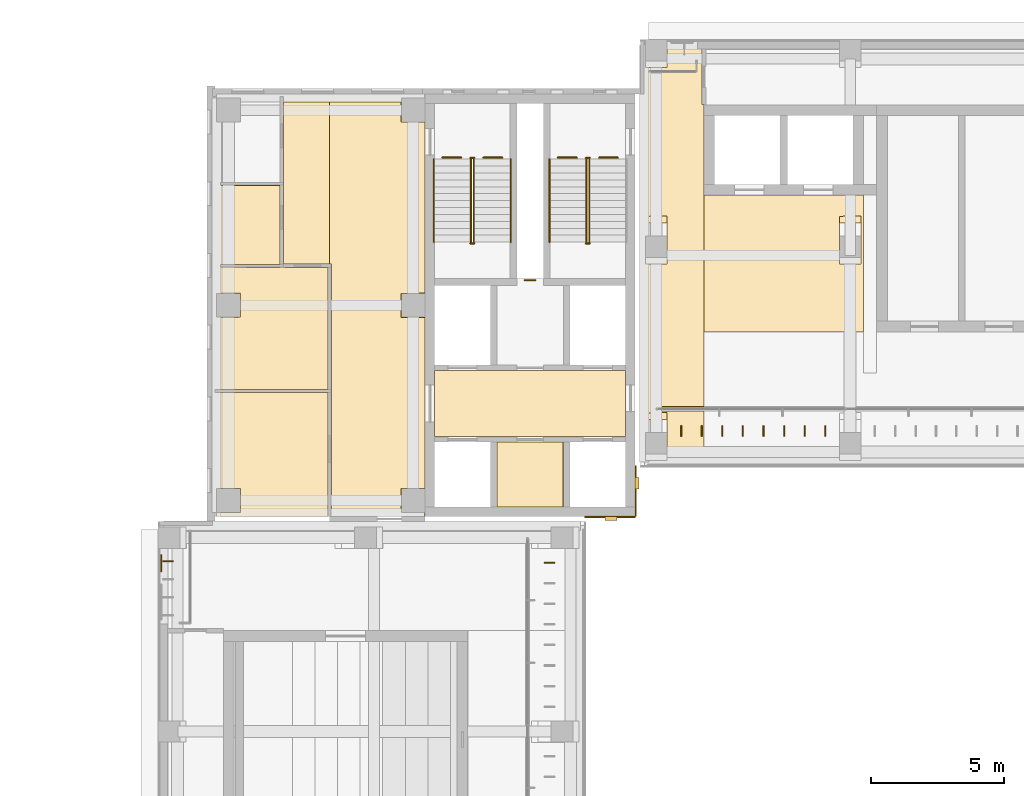
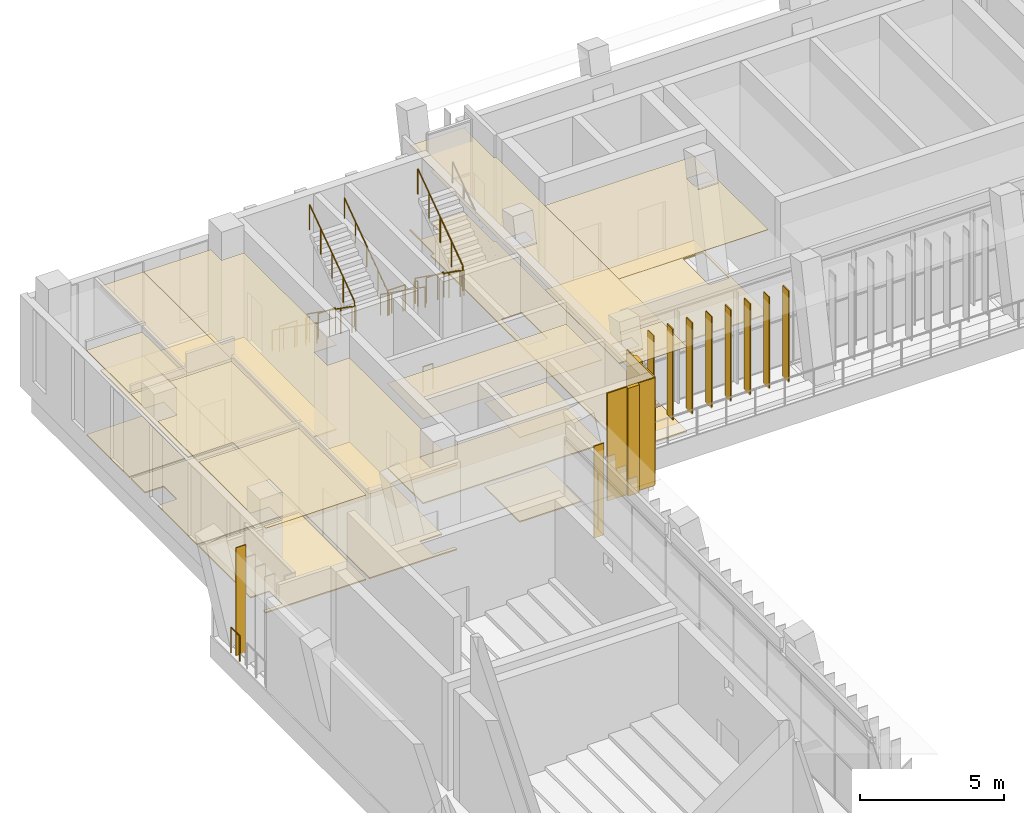
# One storey, part 129 of 141: 22 coverings, 17 railings, 10 shading devices.
"""IFC4 building model written with IfcOpenShell, lengths in metres."""

from ifc_helpers import new_model, si_unit, direction, frame, frame_2d, origin, origin_2d, place, context, subcontext, project, spatial, polyline, rectangle, circle, outline, extrude, material, layer, layer_set, type_object, element, save


model = new_model("IFC4")

# Units and contexts
model_context = context("Model", 3, precision=1e-05, world=origin(), true_north=direction((0.0, 1.0)))
body_context = subcontext(model_context, "Body", "Model", "MODEL_VIEW")
ifc_project = project(units=[si_unit("LENGTHUNIT", "METRE"), si_unit("AREAUNIT", "SQUARE_METRE"), si_unit("VOLUMEUNIT", "CUBIC_METRE"), si_unit("PLANEANGLEUNIT", "RADIAN"), si_unit("MASSUNIT", "GRAM", prefix="KILO")], contexts=[model_context])

# Site, building, storey
site_placement = place(None, origin())
site = spatial("IfcSite", under=ifc_project, at=site_placement, CompositionType="ELEMENT")
building_placement = place(site_placement, origin())
building = spatial("IfcBuilding", under=site, at=building_placement, Name="Lantern Court Media Centre", CompositionType="ELEMENT")
storey_placement = place(building_placement, frame((0.0, 0.0, 9.60009765625)))
storey = spatial("IfcBuildingStorey", under=building, at=storey_placement, Name="L02", CompositionType="ELEMENT", Elevation=9.60009765625)

# Coverings
ifc_material_1 = material(Name="Carpet")
ifc_layer_1 = layer(ifc_material_1, 0.050048828125)
ifc_layer_set_1 = layer_set([ifc_layer_1], Name="Carpet")
covering_type_1 = type_object("IfcCoveringType", Name="Carpet floor finish", PredefinedType="FLOORING", material=ifc_layer_set_1)
covering_1_placement = place(storey_placement, origin())
element("IfcCovering", 1, at=covering_1_placement, inside=storey, type_object=covering_type_1, Name="Production Office 09 floor finish", PredefinedType="FLOORING", context=body_context, shape_type="SweptSolid", body=[
    extrude(outline(polyline([(8.300048828125, 105.485107421875), (12.33251953125, 105.472412109375), (12.33251953125, 100.875), (8.300048828125, 100.875), (8.300048828125, 103.594970703125), (9.054931640625, 103.60009765625), (9.053955078125, 104.503173828125), (8.300048828125, 104.5048828125), (8.300048828125, 105.485107421875)])), origin(), (0.0, 0.0, 1.0), 0.0498046875),
])
covering_2_placement = place(storey_placement, origin())
element("IfcCovering", 2, at=covering_2_placement, inside=storey, type_object=covering_type_1, Name="Production Office 10 floor finish", PredefinedType="FLOORING", context=body_context, shape_type="SweptSolid", body=[
    extrude(outline(polyline([(8.300048828125, 100.764892578125), (12.33251953125, 100.764892578125), (12.33251953125, 96.10009765625), (8.300048828125, 96.10009765625), (8.300048828125, 96.2451171875), (9.054931640625, 96.25), (9.053955078125, 97.153076171875), (8.300048828125, 97.155029296875), (8.300048828125, 100.764892578125)])), origin(), (0.0, 0.0, 1.0), 0.0498046875),
])
covering_3_placement = place(storey_placement, origin())
element("IfcCovering", 3, at=covering_3_placement, inside=storey, type_object=covering_type_1, Name="WC Female floor finish", PredefinedType="FLOORING", context=body_context, shape_type="SweptSolid", body=[
    extrude(outline(polyline([(8.300048828125, 108.56494140625), (10.532470703125, 108.56494140625), (10.532470703125, 105.594970703125), (8.300048828125, 105.594970703125), (8.300048828125, 108.56494140625)])), origin(), (0.0, 0.0, 1.0), 0.0498046875),
])
ifc_material_2 = material(Name="Ceramic tile")
ifc_layer_2 = layer(ifc_material_2, 0.050048828125)
ifc_layer_set_2 = layer_set([ifc_layer_2], Name="Ceramic tile")
covering_type_2 = type_object("IfcCoveringType", Name="Ceramic tile floor finish", PredefinedType="FLOORING", material=ifc_layer_set_2)
covering_4_placement = place(storey_placement, origin())
element("IfcCovering", 4, at=covering_4_placement, inside=storey, type_object=covering_type_2, Name="Accessible WC floor finish", PredefinedType="FLOORING", context=body_context, shape_type="SweptSolid", body=[
    extrude(outline(polyline([(21.195068359375, 96.455078125), (18.705078125, 96.455078125), (18.705078125, 98.89501953125), (21.195068359375, 98.89501953125), (21.195068359375, 96.455078125)])), origin(), (0.0, 0.0, 1.0), 0.0498046875),
])

# Railings
ifc_material_3 = material(Name="Powder-coated steel", Category="steel")
railing_type_1 = type_object("IfcRailingType", Name="Floor edge guard 1100", PredefinedType="GUARDRAIL", material=ifc_material_3)
railing_1_placement = place(storey_placement, frame((16.64990234375, 109.609619140625, 0.0)))
element("IfcRailing", 5, at=railing_1_placement, inside=storey, type_object=railing_type_1, Name="L02 opening guard 72", PredefinedType="GUARDRAIL", context=body_context, shape_type="SweptSolid", body=[
    extrude(circle(Radius=0.02392578125, at=origin_2d()), frame((0.0, 0.0, 1.076171875), z_axis=(1.0, 0.0, 0.0), x_axis=(0.0, 1.0, 0.0)), (0.0, 0.0, 1.0), 0.703857421875),
    extrude(circle(Radius=0.02099609375, at=origin_2d()), origin(), (0.0, 0.0, 1.0), 1.052001953125),
    extrude(circle(Radius=0.02099609375, at=origin_2d()), frame((0.703857421875, 0.0, 0.0)), (0.0, 0.0, 1.0), 1.052001953125),
])
for number, where, name in (
    (6, (18.1962890625, 109.609619140625, 0.0), "L02 opening guard 73"),
    (7, (21.0, 109.609619140625, 0.0), "L02 opening guard 74"),
    (8, (22.54638671875, 109.609619140625, 0.0), "L02 opening guard 75"),
):
    element("IfcRailing", number, at=place(storey_placement, frame(where)), inside=storey, type_object=railing_type_1, Name=name, PredefinedType="GUARDRAIL", context=body_context, shape_type="SweptSolid", body=[
        extrude(circle(Radius=0.02392578125, at=origin_2d()), frame((0.0, 0.0, 1.076171875), z_axis=(1.0, 0.0, 0.0), x_axis=(0.0, 1.0, 0.0)), (0.0, 0.0, 1.0), 0.70361328125),
        extrude(circle(Radius=0.02099609375, at=origin_2d()), origin(), (0.0, 0.0, 1.0), 1.052001953125),
        extrude(circle(Radius=0.02099609375, at=origin_2d()), frame((0.70361328125, 0.0, 0.0)), (0.0, 0.0, 1.0), 1.052001953125),
    ])
railing_2_placement = place(storey_placement, frame((20.14990234375, 104.989990234375, 0.0)))
element("IfcRailing", 9, at=railing_2_placement, inside=storey, type_object=railing_type_1, Name="L02 opening guard 76", PredefinedType="GUARDRAIL", context=body_context, shape_type="SweptSolid", body=[
    extrude(circle(Radius=0.02392578125, at=origin_2d()), frame((0.0, 0.0, 1.076171875), z_axis=(-1.0, 0.0, 0.0), x_axis=(0.0, -1.0, 0.0)), (0.0, 0.0, 1.0), 0.39990234375),
    extrude(circle(Radius=0.02099609375, at=origin_2d()), origin(), (0.0, 0.0, 1.0), 1.052001953125),
    extrude(circle(Radius=0.02099609375, at=origin_2d()), frame((-0.39990234375, 0.0, 0.0)), (0.0, 0.0, 1.0), 1.052001953125),
])
railing_3_placement = place(storey_placement, frame((6.06005859375, 94.034912109375, 0.0)))
element("IfcRailing", 10, at=railing_3_placement, inside=storey, type_object=railing_type_1, Name="L02 edge guard 40", PredefinedType="GUARDRAIL", context=body_context, shape_type="SweptSolid", body=[
    extrude(circle(Radius=0.02392578125, at=origin_2d()), frame((0.0, 0.0, 1.076171875), z_axis=(0.0, 1.0, 0.0), x_axis=(-1.0, 0.0, 0.0)), (0.0, 0.0, 1.0), 0.59912109375),
    extrude(circle(Radius=0.02099609375, at=origin_2d()), origin(), (0.0, 0.0, 1.0), 1.052001953125),
    extrude(circle(Radius=0.02099609375, at=origin_2d()), frame((0.0, 0.59912109375, 0.0)), (0.0, 0.0, 1.0), 1.052001953125),
])

# Coverings
ifc_material_4 = material(Name="Honed limestone cladding", Category="masonry")
ifc_layer_3 = layer(ifc_material_4, 0.050048828125)
ifc_layer_set_3 = layer_set([ifc_layer_3], Name="Honed limestone cladding")
covering_type_3 = type_object("IfcCoveringType", Name="Limestone cladding panel 50", PredefinedType="CLADDING", material=ifc_layer_set_3)
for number, where, z_axis, x_axis, name in (
    (11, (23.925048828125, 96.10009765625, 0.0), (0.0, 0.0, 1.0), (0.0, 1.0, 0.0), "Limestone joint cladding N-NW L02"),
    (12, (22.0, 96.074951171875, 0.0), (0.0, 0.0, 1.0), (1.0, 0.0, 0.0), "Limestone joint cladding W-NW L02"),
):
    element("IfcCovering", number, at=place(storey_placement, frame(where, z_axis=z_axis, x_axis=x_axis)), inside=storey, type_object=covering_type_3, Name=name, PredefinedType="CLADDING", context=body_context, shape_type="SweptSolid", body=[
        extrude(rectangle(XDim=1.89990234375, YDim=0.050048828125, at=frame_2d((0.949951171875, 0.0))), origin(), (0.0, 0.0, 1.0), 4.579833984375),
    ])
ifc_layer_4 = layer(ifc_material_4, 0.14990234375)
ifc_layer_set_4 = layer_set([ifc_layer_4], Name="Honed limestone cladding")
covering_type_4 = type_object("IfcCoveringType", Name="Limestone pilaster cladding 150", PredefinedType="CLADDING", material=ifc_layer_set_4)
covering_5_placement = place(storey_placement, frame((22.77490234375, 96.02490234375, 0.0), z_axis=(0.0, 0.0, 1.0), x_axis=(1.0, 0.0, 0.0)))
element("IfcCovering", 13, at=covering_5_placement, inside=storey, type_object=covering_type_4, Name="Limestone pilaster rib", PredefinedType="CLADDING", context=body_context, shape_type="SweptSolid", body=[
    extrude(rectangle(XDim=0.4501953125, YDim=0.14990234375, at=frame_2d((0.22509765625, 0.0))), origin(), (0.0, 0.0, 1.0), 4.579833984375),
])
covering_6_placement = place(storey_placement, frame((23.97509765625, 97.125, 0.0), z_axis=(0.0, 0.0, 1.0), x_axis=(0.0, 1.0, 0.0)))
element("IfcCovering", 14, at=covering_6_placement, inside=storey, type_object=covering_type_4, Name="Limestone pilaster rib", PredefinedType="CLADDING", context=body_context, shape_type="SweptSolid", body=[
    extrude(rectangle(XDim=0.449951171875, YDim=0.14990234375, at=frame_2d((0.22509765625, 0.0))), origin(), (0.0, 0.0, 1.0), 4.579833984375),
])

# Railings
railing_type_2 = type_object("IfcRailingType", Name="Stair guard 1100", PredefinedType="GUARDRAIL", material=ifc_material_3)
railing_4_placement = place(storey_placement, frame((17.72412109375, 109.550048828125, 0.1845703125)))
element("IfcRailing", 15, at=railing_4_placement, inside=storey, type_object=railing_type_2, Name="L02 ST-NWA stair guard 1", PredefinedType="GUARDRAIL", context=body_context, shape_type="SweptSolid", body=[
    extrude(circle(Radius=0.02392578125, at=origin_2d()), frame((0.0, 0.0, 1.076171875), z_axis=(0.0, -0.815376961211, 0.578930402662), x_axis=(1.0, 0.0, 0.0)), (0.0, 0.0, 1.0), 3.82666015625),
    extrude(circle(Radius=0.02099609375, at=origin_2d()), origin(), (0.0, 0.0, 1.0), 1.052001953125),
    extrude(circle(Radius=0.02099609375, at=origin_2d()), frame((0.0, -0.780029296875, 0.5537109375)), (0.0, 0.0, 1.0), 1.052001953125),
    extrude(circle(Radius=0.02099609375, at=origin_2d()), frame((0.0, -1.56005859375, 1.107666015625)), (0.0, 0.0, 1.0), 1.052001953125),
    extrude(circle(Radius=0.02099609375, at=origin_2d()), frame((0.0, -2.340087890625, 1.66162109375)), (0.0, 0.0, 1.0), 1.052001953125),
    extrude(circle(Radius=0.02099609375, at=origin_2d()), frame((0.0, -3.1201171875, 2.21533203125)), (0.0, 0.0, 1.0), 1.052001953125),
])
railing_5_placement = place(storey_placement, frame((17.699951171875, 106.3798828125, 2.39990234375)))
element("IfcRailing", 16, at=railing_5_placement, inside=storey, type_object=railing_type_2, Name="L02 ST-NWA stair guard 2", PredefinedType="GUARDRAIL", context=body_context, shape_type="SweptSolid", body=[
    extrude(circle(Radius=0.02392578125, at=origin_2d()), frame((0.0, 0.0, 1.076171875), z_axis=(1.0, 0.0, 0.0), x_axis=(0.0, 1.0, 0.0)), (0.0, 0.0, 1.0), 0.150146484375),
    extrude(circle(Radius=0.02099609375, at=origin_2d()), origin(), (0.0, 0.0, 1.0), 1.052001953125),
    extrude(circle(Radius=0.02099609375, at=origin_2d()), frame((0.150146484375, 0.0, 0.0)), (0.0, 0.0, 1.0), 1.052001953125),
])
railing_6_placement = place(storey_placement, frame((17.825927734375, 106.429931640625, 2.58447265625)))
element("IfcRailing", 17, at=railing_6_placement, inside=storey, type_object=railing_type_2, Name="L02 ST-NWA stair guard 3", PredefinedType="GUARDRAIL", context=body_context, shape_type="SweptSolid", body=[
    extrude(circle(Radius=0.02392578125, at=origin_2d()), frame((0.0, 0.0, 1.076171875), z_axis=(0.0, 0.815376961211, 0.578930402662), x_axis=(-1.0, 0.0, 0.0)), (0.0, 0.0, 1.0), 3.82666015625),
    extrude(circle(Radius=0.02099609375, at=origin_2d()), origin(), (0.0, 0.0, 1.0), 1.052001953125),
    extrude(circle(Radius=0.02099609375, at=origin_2d()), frame((0.0, 0.780029296875, 0.5537109375)), (0.0, 0.0, 1.0), 1.052001953125),
    extrude(circle(Radius=0.02099609375, at=origin_2d()), frame((0.0, 1.56005859375, 1.107666015625)), (0.0, 0.0, 1.0), 1.052001953125),
    extrude(circle(Radius=0.02099609375, at=origin_2d()), frame((0.0, 2.340087890625, 1.66162109375)), (0.0, 0.0, 1.0), 1.052001953125),
    extrude(circle(Radius=0.02099609375, at=origin_2d()), frame((0.0, 3.1201171875, 2.21533203125)), (0.0, 0.0, 1.0), 1.052001953125),
])
railing_7_placement = place(storey_placement, frame((17.699951171875, 109.60009765625, 0.0)))
element("IfcRailing", 18, at=railing_7_placement, inside=storey, type_object=railing_type_2, Name="L02 ST-NWA stair guard 4", PredefinedType="GUARDRAIL", context=body_context, shape_type="SweptSolid", body=[
    extrude(circle(Radius=0.02392578125, at=origin_2d()), frame((0.0, 0.0, 1.076171875), z_axis=(1.0, 0.0, 0.0), x_axis=(0.0, 1.0, 0.0)), (0.0, 0.0, 1.0), 0.150146484375),
    extrude(circle(Radius=0.02099609375, at=origin_2d()), origin(), (0.0, 0.0, 1.0), 1.052001953125),
    extrude(circle(Radius=0.02099609375, at=origin_2d()), frame((0.150146484375, 0.0, 0.0)), (0.0, 0.0, 1.0), 1.052001953125),
])
railing_8_placement = place(storey_placement, frame((22.073974609375, 109.550048828125, 0.1845703125)))
element("IfcRailing", 19, at=railing_8_placement, inside=storey, type_object=railing_type_2, Name="L02 ST-NWB stair guard 1", PredefinedType="GUARDRAIL", context=body_context, shape_type="SweptSolid", body=[
    extrude(circle(Radius=0.02392578125, at=origin_2d()), frame((0.0, 0.0, 1.076171875), z_axis=(0.0, -0.815376961211, 0.578930402662), x_axis=(1.0, 0.0, 0.0)), (0.0, 0.0, 1.0), 3.82666015625),
    extrude(circle(Radius=0.02099609375, at=origin_2d()), origin(), (0.0, 0.0, 1.0), 1.052001953125),
    extrude(circle(Radius=0.02099609375, at=origin_2d()), frame((0.0, -0.780029296875, 0.5537109375)), (0.0, 0.0, 1.0), 1.052001953125),
    extrude(circle(Radius=0.02099609375, at=origin_2d()), frame((0.0, -1.56005859375, 1.107666015625)), (0.0, 0.0, 1.0), 1.052001953125),
    extrude(circle(Radius=0.02099609375, at=origin_2d()), frame((0.0, -2.340087890625, 1.66162109375)), (0.0, 0.0, 1.0), 1.052001953125),
    extrude(circle(Radius=0.02099609375, at=origin_2d()), frame((0.0, -3.1201171875, 2.21533203125)), (0.0, 0.0, 1.0), 1.052001953125),
])
railing_9_placement = place(storey_placement, frame((22.050048828125, 106.3798828125, 2.39990234375)))
element("IfcRailing", 20, at=railing_9_placement, inside=storey, type_object=railing_type_2, Name="L02 ST-NWB stair guard 2", PredefinedType="GUARDRAIL", context=body_context, shape_type="SweptSolid", body=[
    extrude(circle(Radius=0.02392578125, at=origin_2d()), frame((0.0, 0.0, 1.076171875), z_axis=(1.0, 0.0, 0.0), x_axis=(0.0, 1.0, 0.0)), (0.0, 0.0, 1.0), 0.14990234375),
    extrude(circle(Radius=0.02099609375, at=origin_2d()), origin(), (0.0, 0.0, 1.0), 1.052001953125),
    extrude(circle(Radius=0.02099609375, at=origin_2d()), frame((0.14990234375, 0.0, 0.0)), (0.0, 0.0, 1.0), 1.052001953125),
])
railing_10_placement = place(storey_placement, frame((22.176025390625, 106.429931640625, 2.58447265625)))
element("IfcRailing", 21, at=railing_10_placement, inside=storey, type_object=railing_type_2, Name="L02 ST-NWB stair guard 3", PredefinedType="GUARDRAIL", context=body_context, shape_type="SweptSolid", body=[
    extrude(circle(Radius=0.02392578125, at=origin_2d()), frame((0.0, 0.0, 1.076171875), z_axis=(0.0, 0.815376961211, 0.578930402662), x_axis=(-1.0, 0.0, 0.0)), (0.0, 0.0, 1.0), 3.82666015625),
    extrude(circle(Radius=0.02099609375, at=origin_2d()), origin(), (0.0, 0.0, 1.0), 1.052001953125),
    extrude(circle(Radius=0.02099609375, at=origin_2d()), frame((0.0, 0.780029296875, 0.5537109375)), (0.0, 0.0, 1.0), 1.052001953125),
    extrude(circle(Radius=0.02099609375, at=origin_2d()), frame((0.0, 1.56005859375, 1.107666015625)), (0.0, 0.0, 1.0), 1.052001953125),
    extrude(circle(Radius=0.02099609375, at=origin_2d()), frame((0.0, 2.340087890625, 1.66162109375)), (0.0, 0.0, 1.0), 1.052001953125),
    extrude(circle(Radius=0.02099609375, at=origin_2d()), frame((0.0, 3.1201171875, 2.21533203125)), (0.0, 0.0, 1.0), 1.052001953125),
])
railing_11_placement = place(storey_placement, frame((22.050048828125, 109.60009765625, 0.0)))
element("IfcRailing", 22, at=railing_11_placement, inside=storey, type_object=railing_type_2, Name="L02 ST-NWB stair guard 4", PredefinedType="GUARDRAIL", context=body_context, shape_type="SweptSolid", body=[
    extrude(circle(Radius=0.02392578125, at=origin_2d()), frame((0.0, 0.0, 1.076171875), z_axis=(1.0, 0.0, 0.0), x_axis=(0.0, 1.0, 0.0)), (0.0, 0.0, 1.0), 0.14990234375),
    extrude(circle(Radius=0.02099609375, at=origin_2d()), origin(), (0.0, 0.0, 1.0), 1.052001953125),
    extrude(circle(Radius=0.02099609375, at=origin_2d()), frame((0.14990234375, 0.0, 0.0)), (0.0, 0.0, 1.0), 1.052001953125),
])
railing_type_3 = type_object("IfcRailingType", Name="Stair handrail 900", PredefinedType="HANDRAIL", material=ifc_material_3)
railing_12_placement = place(storey_placement, frame((16.325927734375, 109.550048828125, 0.1845703125)))
element("IfcRailing", 23, at=railing_12_placement, inside=storey, type_object=railing_type_3, Name="L02 ST-NWA stair handrail 1", PredefinedType="HANDRAIL", context=body_context, shape_type="SweptSolid", body=[
    extrude(circle(Radius=0.02392578125, at=origin_2d()), frame((0.0, 0.0, 0.8759765625), z_axis=(0.0, -0.815376961211, 0.578930402662), x_axis=(1.0, 0.0, 0.0)), (0.0, 0.0, 1.0), 3.82666015625),
    extrude(circle(Radius=0.02099609375, at=origin_2d()), origin(), (0.0, 0.0, 1.0), 0.851806640625),
    extrude(circle(Radius=0.02099609375, at=origin_2d()), frame((0.0, -0.780029296875, 0.5537109375)), (0.0, 0.0, 1.0), 0.851806640625),
    extrude(circle(Radius=0.02099609375, at=origin_2d()), frame((0.0, -1.56005859375, 1.107666015625)), (0.0, 0.0, 1.0), 0.851806640625),
    extrude(circle(Radius=0.02099609375, at=origin_2d()), frame((0.0, -2.340087890625, 1.66162109375)), (0.0, 0.0, 1.0), 0.851806640625),
    extrude(circle(Radius=0.02099609375, at=origin_2d()), frame((0.0, -3.1201171875, 2.21533203125)), (0.0, 0.0, 1.0), 0.851806640625),
])
railing_13_placement = place(storey_placement, frame((19.22412109375, 106.429931640625, 2.58447265625)))
element("IfcRailing", 24, at=railing_13_placement, inside=storey, type_object=railing_type_3, Name="L02 ST-NWA stair handrail 2", PredefinedType="HANDRAIL", context=body_context, shape_type="SweptSolid", body=[
    extrude(circle(Radius=0.02392578125, at=origin_2d()), frame((0.0, 0.0, 0.8759765625), z_axis=(0.0, 0.815376961211, 0.578930402662), x_axis=(-1.0, 0.0, 0.0)), (0.0, 0.0, 1.0), 3.82666015625),
    extrude(circle(Radius=0.02099609375, at=origin_2d()), origin(), (0.0, 0.0, 1.0), 0.851806640625),
    extrude(circle(Radius=0.02099609375, at=origin_2d()), frame((0.0, 0.780029296875, 0.5537109375)), (0.0, 0.0, 1.0), 0.851806640625),
    extrude(circle(Radius=0.02099609375, at=origin_2d()), frame((0.0, 1.56005859375, 1.107666015625)), (0.0, 0.0, 1.0), 0.851806640625),
    extrude(circle(Radius=0.02099609375, at=origin_2d()), frame((0.0, 2.340087890625, 1.66162109375)), (0.0, 0.0, 1.0), 0.851806640625),
    extrude(circle(Radius=0.02099609375, at=origin_2d()), frame((0.0, 3.1201171875, 2.21533203125)), (0.0, 0.0, 1.0), 0.851806640625),
])
railing_14_placement = place(storey_placement, frame((20.676025390625, 109.550048828125, 0.1845703125)))
element("IfcRailing", 25, at=railing_14_placement, inside=storey, type_object=railing_type_3, Name="L02 ST-NWB stair handrail 1", PredefinedType="HANDRAIL", context=body_context, shape_type="SweptSolid", body=[
    extrude(circle(Radius=0.02392578125, at=origin_2d()), frame((0.0, 0.0, 0.8759765625), z_axis=(0.0, -0.815376961211, 0.578930402662), x_axis=(1.0, 0.0, 0.0)), (0.0, 0.0, 1.0), 3.82666015625),
    extrude(circle(Radius=0.02099609375, at=origin_2d()), origin(), (0.0, 0.0, 1.0), 0.851806640625),
    extrude(circle(Radius=0.02099609375, at=origin_2d()), frame((0.0, -0.780029296875, 0.5537109375)), (0.0, 0.0, 1.0), 0.851806640625),
    extrude(circle(Radius=0.02099609375, at=origin_2d()), frame((0.0, -1.56005859375, 1.107666015625)), (0.0, 0.0, 1.0), 0.851806640625),
    extrude(circle(Radius=0.02099609375, at=origin_2d()), frame((0.0, -2.340087890625, 1.66162109375)), (0.0, 0.0, 1.0), 0.851806640625),
    extrude(circle(Radius=0.02099609375, at=origin_2d()), frame((0.0, -3.1201171875, 2.21533203125)), (0.0, 0.0, 1.0), 0.851806640625),
])

# Coverings
ifc_material_5 = material(Name="Mineral fibre ceiling tile")
ifc_layer_5 = layer(ifc_material_5, 0.02001953125)
ifc_layer_set_5 = layer_set([ifc_layer_5], Name="Mineral fibre ceiling tile")
covering_type_5 = type_object("IfcCoveringType", Name="Suspended ceiling tile", PredefinedType="CEILING", material=ifc_layer_set_5)
covering_7_placement = place(storey_placement, frame((0.0, 0.0, 3.599853515625)))
element("IfcCovering", 26, at=covering_7_placement, inside=storey, type_object=covering_type_5, Name="End Lobby ceiling", PredefinedType="CEILING", context=body_context, shape_type="SweptSolid", body=[
    extrude(outline(polyline([(26.5, 98.300048828125), (24.10009765625, 98.300048828125), (24.10009765625, 111.99951171875), (24.240478515625, 112.0), (24.240478515625, 113.699951171875), (26.5, 113.699462890625), (26.41943359375, 113.695068359375), (26.41943359375, 111.60498046875), (26.5, 111.6044921875), (26.5, 100.2255859375), (24.8994140625, 100.22509765625), (24.89990234375, 100.074462890625), (26.5, 100.074462890625), (26.5, 98.300048828125)]), holes=[polyline([(25.10009765625, 106.3515625), (25.10009765625, 106.400390625), (24.299560546875, 106.400146484375), (24.300048828125, 106.3515625), (25.10009765625, 106.3515625)]), polyline([(25.10009765625, 98.95166015625), (25.10009765625, 99.00048828125), (24.299560546875, 99.0), (24.300048828125, 98.95166015625), (25.10009765625, 98.95166015625)]), polyline([(25.10009765625, 99.199462890625), (25.100341796875, 99.75244140625), (24.299560546875, 99.75244140625), (24.2998046875, 99.199462890625), (25.10009765625, 99.199462890625)]), polyline([(25.10009765625, 106.599609375), (25.100341796875, 107.152587890625), (24.299560546875, 107.15234375), (24.2998046875, 106.599609375), (25.10009765625, 106.599609375)])]), origin(), (0.0, 0.0, 1.0), 0.02001953125),
])
covering_8_placement = place(storey_placement, frame((0.0, 0.0, 3.599853515625)))
element("IfcCovering", 27, at=covering_8_placement, inside=storey, type_object=covering_type_5, Name="Lift Lobby ceiling", PredefinedType="CEILING", context=body_context, shape_type="SweptSolid", body=[
    extrude(outline(polyline([(32.5, 103.050048828125), (26.5, 103.050048828125), (26.5, 108.199462890625), (32.5, 108.199462890625), (32.5, 103.050048828125)]), holes=[polyline([(32.39990234375, 106.599609375), (32.400390625, 107.152587890625), (31.599609375, 107.15234375), (31.599609375, 106.599609375), (32.39990234375, 106.599609375)]), polyline([(32.39990234375, 106.3515625), (32.400146484375, 106.400390625), (31.599609375, 106.400146484375), (31.599853515625, 106.3515625), (32.39990234375, 106.3515625)])]), origin(), (0.0, 0.0, 1.0), 0.02001953125),
])
covering_9_placement = place(storey_placement, frame((0.0, 0.0, 3.599853515625)))
element("IfcCovering", 28, at=covering_9_placement, inside=storey, type_object=covering_type_5, Name="Lift Lobby ceiling", PredefinedType="CEILING", context=body_context, shape_type="SweptSolid", body=[
    extrude(outline(polyline([(16.3505859375, 101.599609375), (23.549560546875, 101.599609375), (23.549560546875, 99.1005859375), (16.3505859375, 99.1005859375), (16.3505859375, 101.599609375)])), origin(), (0.0, 0.0, 1.0), 0.02001953125),
])
covering_10_placement = place(storey_placement, frame((0.0, 0.0, 3.599853515625)))
element("IfcCovering", 29, at=covering_10_placement, inside=storey, type_object=covering_type_5, Name="Accessible WC ceiling", PredefinedType="CEILING", context=body_context, shape_type="SweptSolid", body=[
    extrude(outline(polyline([(18.700439453125, 98.8994140625), (21.199462890625, 98.8994140625), (21.199462890625, 96.450439453125), (18.700439453125, 96.450439453125), (18.700439453125, 98.8994140625)])), origin(), (0.0, 0.0, 1.0), 0.02001953125),
])
covering_11_placement = place(storey_placement, frame((0.0, 0.0, 3.599853515625)))
element("IfcCovering", 30, at=covering_11_placement, inside=storey, type_object=covering_type_5, Name="Corridor ceiling", PredefinedType="CEILING", context=body_context, shape_type="SweptSolid", body=[
    extrude(outline(polyline([(12.39990234375, 111.699951171875), (15.099609375, 111.699951171875), (15.099609375, 110.94970703125), (15.99951171875, 110.949462890625), (15.99951171875, 104.50048828125), (15.099609375, 104.5), (15.099609375, 103.599609375), (15.99951171875, 103.599609375), (15.99951171875, 97.150390625), (15.099609375, 97.150390625), (15.099609375, 96.25), (15.99951171875, 96.24951171875), (15.99951171875, 96.1005859375), (12.462890625, 96.1005859375), (12.462890625, 105.6025390625), (12.39990234375, 105.60302734375), (12.39990234375, 111.699951171875)])), origin(), (0.0, 0.0, 1.0), 0.02001953125),
])
covering_12_placement = place(storey_placement, frame((0.0, 0.0, 3.599853515625)))
element("IfcCovering", 31, at=covering_12_placement, inside=storey, type_object=covering_type_5, Name="Production Office 09 ceiling", PredefinedType="CEILING", context=body_context, shape_type="SweptSolid", body=[
    extrude(outline(polyline([(8.300048828125, 105.489501953125), (12.3369140625, 105.47705078125), (12.3369140625, 100.87060546875), (8.300048828125, 100.87060546875), (8.300048828125, 103.599609375), (9.050537109375, 103.60009765625), (9.05029296875, 104.500244140625), (8.300048828125, 104.50048828125), (8.300048828125, 105.489501953125)])), origin(), (0.0, 0.0, 1.0), 0.02001953125),
])
covering_13_placement = place(storey_placement, frame((0.0, 0.0, 3.599853515625)))
element("IfcCovering", 32, at=covering_13_placement, inside=storey, type_object=covering_type_5, Name="Production Office 10 ceiling", PredefinedType="CEILING", context=body_context, shape_type="SweptSolid", body=[
    extrude(outline(polyline([(8.300048828125, 100.76953125), (12.3369140625, 100.76953125), (12.3369140625, 96.10009765625), (8.300048828125, 96.10009765625), (8.300048828125, 96.24951171875), (9.050537109375, 96.25), (9.05029296875, 97.150390625), (8.300048828125, 97.150390625), (8.300048828125, 100.76953125)])), origin(), (0.0, 0.0, 1.0), 0.02001953125),
])
covering_14_placement = place(storey_placement, frame((0.0, 0.0, 3.599853515625)))
element("IfcCovering", 33, at=covering_14_placement, inside=storey, type_object=covering_type_5, Name="WC Lobby ceiling", PredefinedType="CEILING", context=body_context, shape_type="SweptSolid", body=[
    extrude(outline(polyline([(12.39990234375, 111.699951171875), (12.39990234375, 105.60302734375), (10.6630859375, 105.60302734375), (10.6630859375, 111.699951171875), (12.39990234375, 111.699951171875)])), origin(), (0.0, 0.0, 1.0), 0.02001953125),
])
covering_15_placement = place(storey_placement, frame((0.0, 0.0, 3.599853515625)))
element("IfcCovering", 34, at=covering_15_placement, inside=storey, type_object=covering_type_5, Name="WC Female ceiling", PredefinedType="CEILING", context=body_context, shape_type="SweptSolid", body=[
    extrude(outline(polyline([(8.300048828125, 108.569580078125), (10.537109375, 108.569580078125), (10.537109375, 105.590576171875), (8.300048828125, 105.590576171875), (8.300048828125, 108.569580078125)])), origin(), (0.0, 0.0, 1.0), 0.02001953125),
])
ifc_material_6 = material(Name="Terrazzo")
ifc_layer_6 = layer(ifc_material_6, 0.050048828125)
ifc_layer_set_6 = layer_set([ifc_layer_6], Name="Terrazzo")
covering_type_6 = type_object("IfcCoveringType", Name="Terrazzo floor finish", PredefinedType="FLOORING", material=ifc_layer_set_6)
covering_16_placement = place(storey_placement, origin())
element("IfcCovering", 35, at=covering_16_placement, inside=storey, type_object=covering_type_6, Name="End Lobby floor finish", PredefinedType="FLOORING", context=body_context, shape_type="SweptSolid", body=[
    extrude(outline(polyline([(26.5, 98.300048828125), (25.10498046875, 98.300048828125), (25.10009765625, 100.0048828125), (24.295654296875, 100.00244140625), (24.294921875, 98.300048828125), (24.10009765625, 98.300048828125), (24.10009765625, 111.9951171875), (24.244873046875, 111.99951171875), (24.2451171875, 113.699951171875), (24.294921875, 113.699951171875), (24.300048828125, 112.9951171875), (25.103271484375, 112.99609375), (25.10498046875, 113.699951171875), (26.4150390625, 113.695068359375), (26.4150390625, 111.60498046875), (26.4951171875, 111.60009765625), (26.5, 100.22998046875), (24.8994140625, 100.22998046875), (24.89501953125, 100.074951171875), (26.5, 100.070068359375), (26.5, 98.300048828125)]), holes=[polyline([(24.294921875, 105.60009765625), (25.104736328125, 105.59814453125), (25.101806640625, 107.404541015625), (24.29541015625, 107.40185546875), (24.294921875, 105.60009765625)])]), origin(), (0.0, 0.0, 1.0), 0.0498046875),
])
covering_17_placement = place(storey_placement, origin())
element("IfcCovering", 36, at=covering_17_placement, inside=storey, type_object=covering_type_6, Name="Lift Lobby floor finish", PredefinedType="FLOORING", context=body_context, shape_type="SweptSolid", body=[
    extrude(outline(polyline([(32.5, 103.050048828125), (26.5, 103.050048828125), (26.5, 108.195068359375), (32.5, 108.195068359375), (32.5, 103.050048828125)]), holes=[polyline([(31.594970703125, 105.60009765625), (32.404541015625, 105.59814453125), (32.40185546875, 107.404541015625), (31.595458984375, 107.40185546875), (31.594970703125, 105.60009765625)])]), origin(), (0.0, 0.0, 1.0), 0.0498046875),
])
covering_18_placement = place(storey_placement, origin())
element("IfcCovering", 37, at=covering_18_placement, inside=storey, type_object=covering_type_6, Name="Lift Lobby floor finish", PredefinedType="FLOORING", context=body_context, shape_type="SweptSolid", body=[
    extrude(outline(polyline([(16.35498046875, 99.10498046875), (16.35498046875, 101.594970703125), (23.544921875, 101.594970703125), (23.544921875, 99.10498046875), (16.35498046875, 99.10498046875)])), origin(), (0.0, 0.0, 1.0), 0.0498046875),
])
covering_19_placement = place(storey_placement, origin())
element("IfcCovering", 38, at=covering_19_placement, inside=storey, type_object=covering_type_6, Name="Corridor floor finish", PredefinedType="FLOORING", context=body_context, shape_type="SweptSolid", body=[
    extrude(outline(polyline([(12.39990234375, 111.699951171875), (15.094970703125, 111.699951171875), (15.096923828125, 110.946044921875), (15.9951171875, 110.945068359375), (15.9951171875, 104.5048828125), (15.094970703125, 104.5), (15.096435546875, 103.596435546875), (15.9951171875, 103.594970703125), (15.9951171875, 97.155029296875), (15.096435546875, 97.153564453125), (15.094970703125, 96.24951171875), (15.9951171875, 96.2451171875), (15.9951171875, 96.10498046875), (12.467529296875, 96.10498046875), (12.467529296875, 105.6025390625), (12.39990234375, 105.607421875), (12.39990234375, 111.699951171875)])), origin(), (0.0, 0.0, 1.0), 0.0498046875),
])
covering_20_placement = place(storey_placement, origin())
element("IfcCovering", 39, at=covering_20_placement, inside=storey, type_object=covering_type_6, Name="WC Lobby floor finish", PredefinedType="FLOORING", context=body_context, shape_type="SweptSolid", body=[
    extrude(outline(polyline([(12.39990234375, 111.699951171875), (12.39990234375, 105.607421875), (10.66748046875, 105.607421875), (10.66748046875, 111.699951171875), (12.39990234375, 111.699951171875)])), origin(), (0.0, 0.0, 1.0), 0.0498046875),
])

# Shading devices
ifc_material_7 = material(Name="Bronze anodised aluminium louvre", Category="aluminium")
ifc_layer_7 = layer(ifc_material_7, 0.0400390625)
ifc_layer_set_7 = layer_set([ifc_layer_7], Name="Bronze anodised aluminium louvre")
shading_device_type_1 = type_object("IfcShadingDeviceType", Name="Vertical louvre 40x400 full storey", PredefinedType="USERDEFINED", material=ifc_layer_set_7)
shading_device_1_placement = place(storey_placement, frame((6.320068359375, 94.41259765625, -0.000244140625), z_axis=(0.0, 0.0, 1.0), x_axis=(1.0, 0.0, 0.0)))
element("IfcShadingDevice", 40, at=shading_device_1_placement, inside=storey, type_object=shading_device_type_1, Name="Vertical louvre W outer L02", ObjectType="VERTICAL LOUVRE", PredefinedType="USERDEFINED", context=body_context, shape_type="SweptSolid", body=[
    extrude(rectangle(XDim=0.39990234375, YDim=0.0400390625, at=origin_2d()), origin(), (0.0, 0.0, 1.0), 4.580078125),
])
ifc_layer_8 = layer(ifc_material_7, 0.0400390625)
ifc_layer_set_8 = layer_set([ifc_layer_8], Name="Bronze anodised aluminium louvre")
shading_device_type_2 = type_object("IfcShadingDeviceType", Name="Vertical louvre 40x400 under beam", PredefinedType="USERDEFINED", material=ifc_layer_set_8)
for number, where, z_axis, x_axis, name in (
    (41, (25.637451171875, 99.320068359375, 0.0), (0.0, 0.0, 1.0), (1.0, 0.0, 0.0), "Vertical louvre N inner L02"),
    (42, (26.41259765625, 99.320068359375, 0.0), (0.0, 0.0, 1.0), (1.0, 0.0, 0.0), "Vertical louvre N inner L02"),
    (43, (27.1875, 99.320068359375, 0.0), (0.0, 0.0, 1.0), (1.0, 0.0, 0.0), "Vertical louvre N inner L02"),
    (44, (27.96240234375, 99.320068359375, 0.0), (0.0, 0.0, 1.0), (1.0, 0.0, 0.0), "Vertical louvre N inner L02"),
    (45, (28.737548828125, 99.320068359375, 0.0), (0.0, 0.0, 1.0), (1.0, 0.0, 0.0), "Vertical louvre N inner L02"),
    (46, (29.512451171875, 99.320068359375, 0.0), (0.0, 0.0, 1.0), (1.0, 0.0, 0.0), "Vertical louvre N inner L02"),
    (47, (30.28759765625, 99.320068359375, 0.0), (0.0, 0.0, 1.0), (1.0, 0.0, 0.0), "Vertical louvre N inner L02"),
    (48, (31.0625, 99.320068359375, 0.0), (0.0, 0.0, 1.0), (1.0, 0.0, 0.0), "Vertical louvre N inner L02"),
):
    element("IfcShadingDevice", number, at=place(storey_placement, frame(where, z_axis=z_axis, x_axis=x_axis)), inside=storey, type_object=shading_device_type_2, Name=name, ObjectType="VERTICAL LOUVRE", PredefinedType="USERDEFINED", context=body_context, shape_type="SweptSolid", body=[
        extrude(rectangle(XDim=0.0400390625, YDim=0.39990234375, at=origin_2d()), origin(), (0.0, 0.0, 1.0), 3.89990234375),
    ])
shading_device_2_placement = place(storey_placement, frame((20.679931640625, 94.362548828125, 0.0), z_axis=(0.0, 0.0, 1.0), x_axis=(1.0, 0.0, 0.0)))
element("IfcShadingDevice", 49, at=shading_device_2_placement, inside=storey, type_object=shading_device_type_2, Name="Vertical louvre W inner L02", ObjectType="VERTICAL LOUVRE", PredefinedType="USERDEFINED", context=body_context, shape_type="SweptSolid", body=[
    extrude(rectangle(XDim=0.39990234375, YDim=0.0400390625, at=origin_2d()), origin(), (0.0, 0.0, 1.0), 3.89990234375),
])

save(model, "model.ifc")
